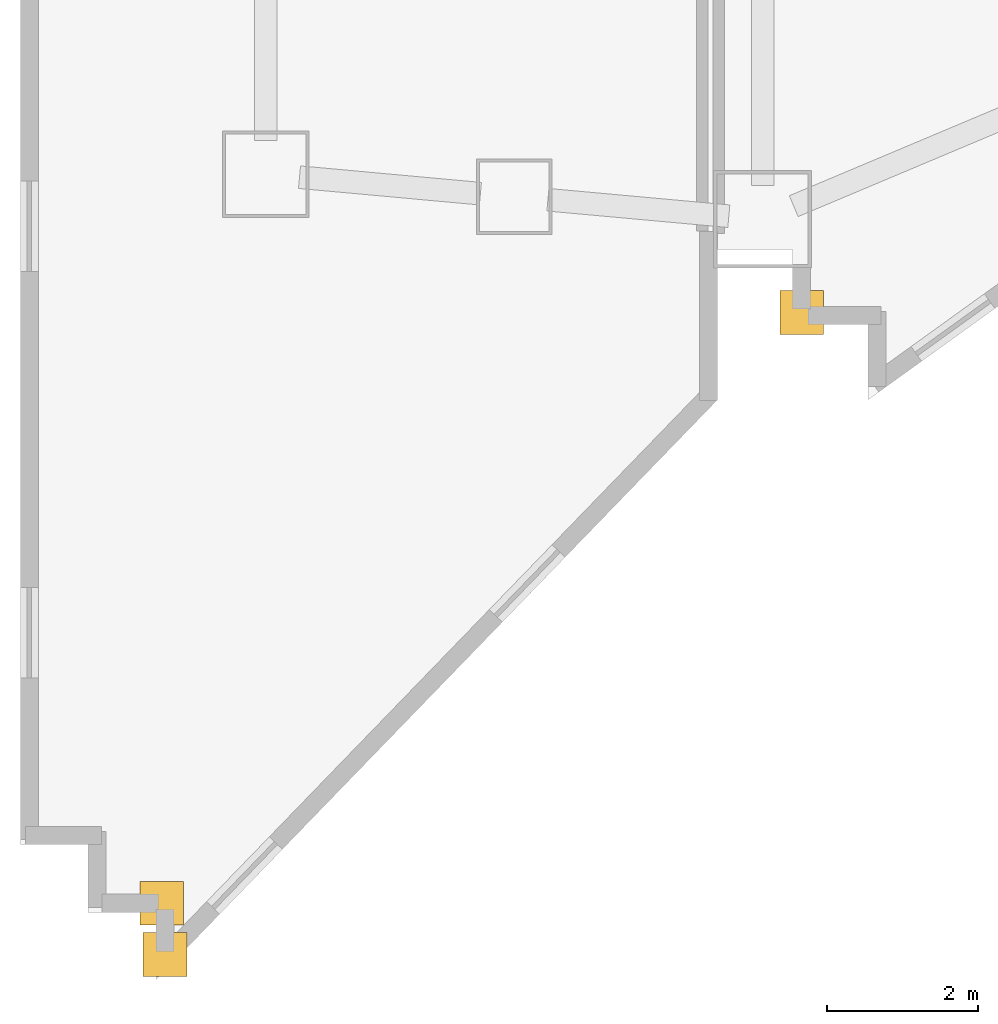
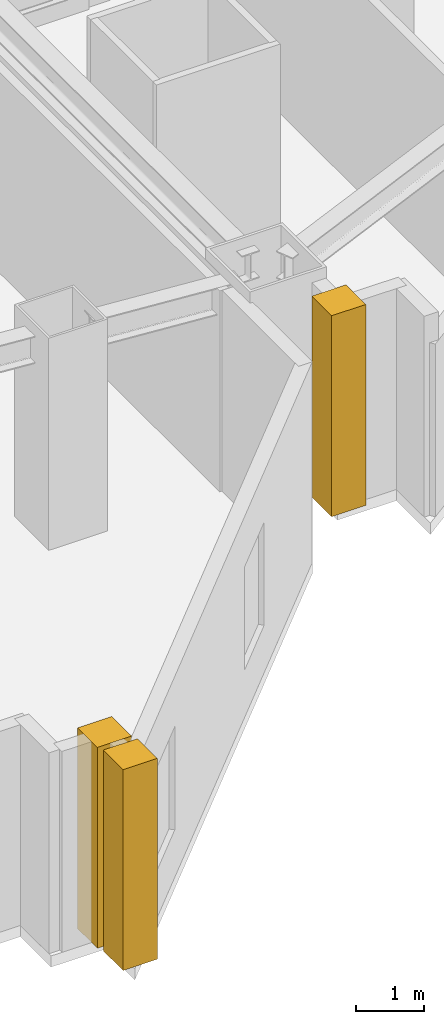
# One storey, part 13 of 17: 3 coverings.
"""IFC4 building model written with IfcOpenShell, lengths in metres."""

from ifc_helpers import new_model, si_unit, direction, frame, origin, origin_2d, place, context, subcontext, project, spatial, rectangle, extrude, material, layer, layer_set, type_object, element, save


model = new_model("IFC4")

# Units and contexts
model_context = context("Model", 3, precision=1e-05, world=origin(), true_north=direction((0.0, 1.0)))
body_context = subcontext(model_context, "Body", "Model", "MODEL_VIEW")
ifc_project = project(units=[si_unit("LENGTHUNIT", "METRE"), si_unit("AREAUNIT", "SQUARE_METRE"), si_unit("VOLUMEUNIT", "CUBIC_METRE"), si_unit("PLANEANGLEUNIT", "RADIAN"), si_unit("MASSUNIT", "GRAM", prefix="KILO")], contexts=[model_context])

# Site, building, storey
site_placement = place(None, origin())
site = spatial("IfcSite", under=ifc_project, at=site_placement, CompositionType="ELEMENT")
building_placement = place(site_placement, origin())
building = spatial("IfcBuilding", under=site, at=building_placement, Name="Haolan Belvedere Tower", CompositionType="ELEMENT")
storey_placement = place(building_placement, frame((0.0, 0.0, 35.39990234375)))
storey = spatial("IfcBuildingStorey", under=building, at=storey_placement, Name="L08", CompositionType="ELEMENT", Elevation=35.39990234375)

# Coverings
ifc_material = material(Name="Pale champagne-silver anodised aluminium rainscreen cladding", Category="aluminium")
ifc_layer = layer(ifc_material, 0.034912109375, Name="Pale champagne-silver anodised aluminium rainscreen cladding")
ifc_layer_set = layer_set([ifc_layer], Name="Pale champagne-silver anodised aluminium rainscreen cladding")
covering_type = type_object("IfcCoveringType", Name="COV-CLAD-35", PredefinedType="CLADDING", material=ifc_layer_set)
for number, where, z_axis, x_axis, name in (
    (1, (4.617431640625, 7.712890625, 0.0), (0.0, 0.0, 1.0), (1.0, 0.0, 0.0), "L08 pale-metal serrated corner cladding trim 1"),
    (2, (4.659912109375, 7.031982421875, 0.0), (0.0, 0.0, 1.0), (1.0, 0.0, 0.0), "L08 pale-metal serrated corner cladding trim 2"),
    (3, (13.1201171875, 15.5625, 0.0), (0.0, 0.0, 1.0), (1.0, 0.0, 0.0), "L08 pale-metal serrated corner cladding trim 3"),
):
    element("IfcCovering", number, at=place(storey_placement, frame(where, z_axis=z_axis, x_axis=x_axis)), inside=storey, type_object=covering_type, Name=name, PredefinedType="CLADDING", context=body_context, shape_type="SweptSolid", body=[
        extrude(rectangle(XDim=0.580078125, YDim=0.580078125, at=origin_2d()), origin(), (0.0, 0.0, 1.0), 3.60009765625),
    ])

save(model, "model.ifc")
